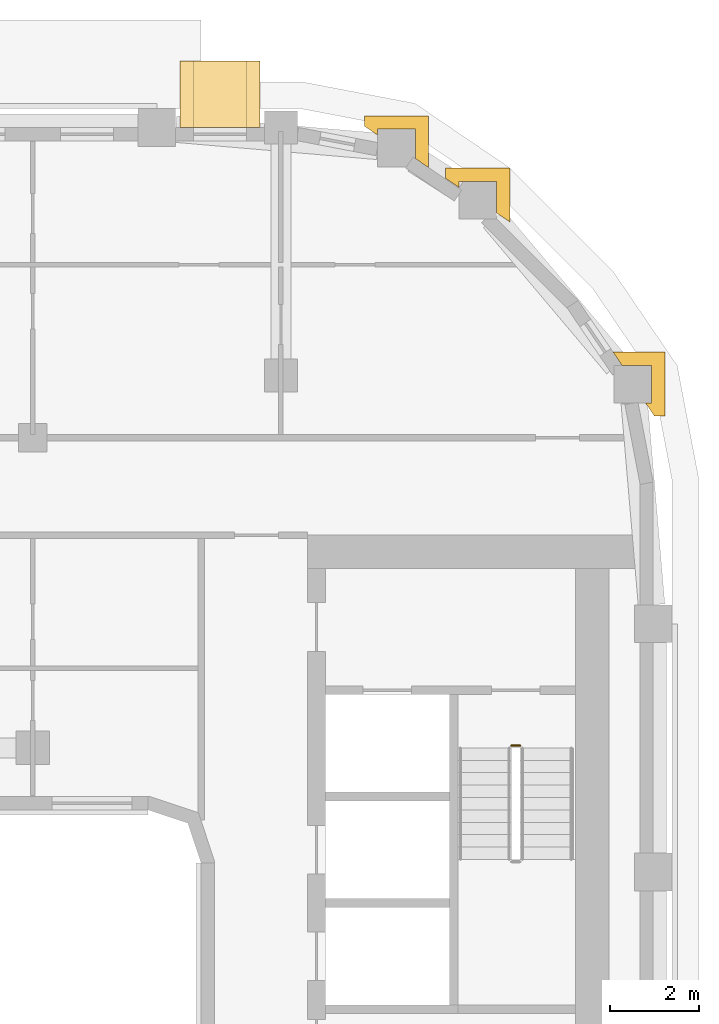
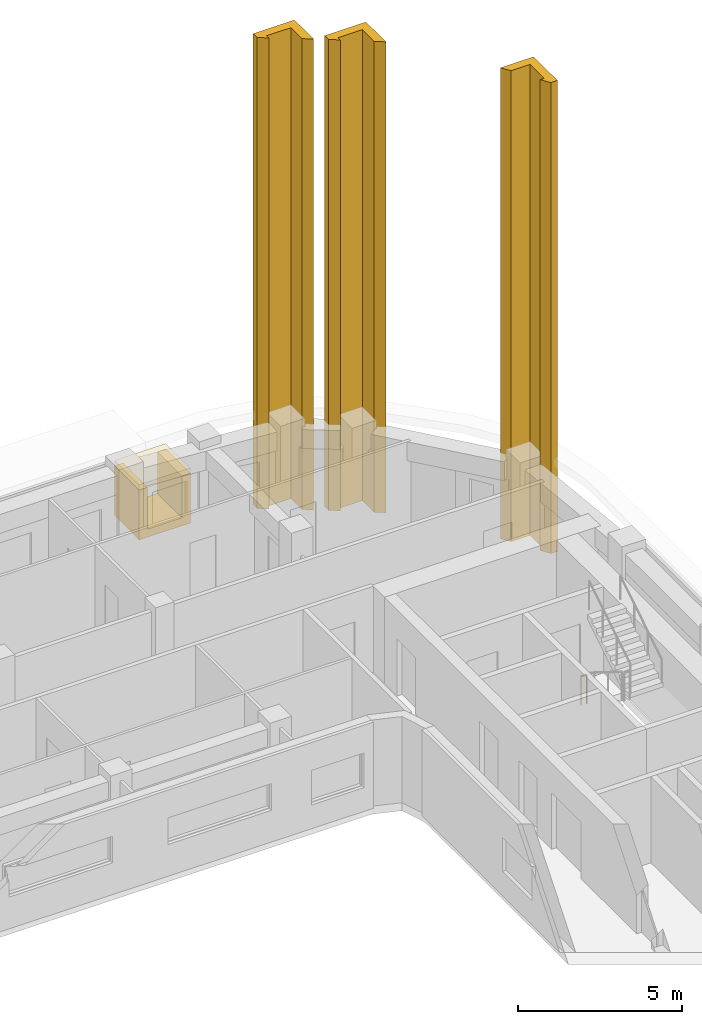
# One storey, part 21 of 21: 5 coverings, 1 railing.
"""IFC4 building model written with IfcOpenShell, lengths in metres."""

from ifc_helpers import new_model, si_unit, direction, frame, origin, origin_2d, place, context, subcontext, project, spatial, polyline, rectangle, circle, outline, extrude, material, layer, layer_set, type_object, element, save


model = new_model("IFC4")

# Units and contexts
model_context = context("Model", 3, precision=1e-05, world=origin(), true_north=direction((0.0, 1.0)))
body_context = subcontext(model_context, "Body", "Model", "MODEL_VIEW")
ifc_project = project(units=[si_unit("LENGTHUNIT", "METRE"), si_unit("AREAUNIT", "SQUARE_METRE"), si_unit("VOLUMEUNIT", "CUBIC_METRE"), si_unit("PLANEANGLEUNIT", "RADIAN"), si_unit("MASSUNIT", "GRAM", prefix="KILO")], contexts=[model_context])

# Site, building, storey
site_placement = place(None, origin())
site = spatial("IfcSite", under=ifc_project, at=site_placement, CompositionType="ELEMENT")
building_placement = place(site_placement, origin())
building = spatial("IfcBuilding", under=site, at=building_placement, Name="Kiln Ring Residences", CompositionType="ELEMENT")
storey_placement = place(building_placement, frame((0.0, 0.0, 213.39990234375)))
storey = spatial("IfcBuildingStorey", under=building, at=storey_placement, Name="L55", CompositionType="ELEMENT", Elevation=213.39990234375)

# Railing
ifc_material_1 = material(Name="Stainless steel", Category="steel")
railing_type = type_object("IfcRailingType", Name="CORE-STAIR-GUARD", PredefinedType="GUARDRAIL", material=ifc_material_1)
railing_placement = place(storey_placement, frame((22.0, 8.449951171875, 0.0)))
element("IfcRailing", 1, at=railing_placement, inside=storey, type_object=railing_type, Name="L55 E-STN stair guard 4", PredefinedType="GUARDRAIL", context=body_context, shape_type="SweptSolid", body=[
    extrude(circle(Radius=0.02392578125, at=origin_2d()), frame((0.0, 0.0, 1.076171875), z_axis=(1.0, 0.0, 0.0), x_axis=(0.0, 1.0, 0.0)), (0.0, 0.0, 1.0), 0.199951171875),
    extrude(circle(Radius=0.02099609375, at=origin_2d()), origin(), (0.0, 0.0, 1.0), 1.052001953125),
    extrude(circle(Radius=0.02099609375, at=origin_2d()), frame((0.199951171875, 0.0, 0.0)), (0.0, 0.0, 1.0), 1.052001953125),
])

# Coverings
ifc_material_2 = material(Name="Brick masonry, dark clay brick", Category="masonry")
ifc_layer_1 = layer(ifc_material_2, 0.300048828125)
ifc_layer_set_1 = layer_set([ifc_layer_1], Name="FRAME CHEEKS AND SILL 1500")
covering_type_1 = type_object("IfcCoveringType", Name="FRAME CHEEKS AND SILL 1500", PredefinedType="CLADDING", material=ifc_layer_set_1)
covering_1_placement = place(storey_placement, frame((16.324951171875, 23.14990234375, 0.300048828125), z_axis=(0.0, 0.0, 1.0), x_axis=(-1.0, 0.0, 0.0)))
element("IfcCovering", 2, at=covering_1_placement, inside=storey, type_object=covering_type_1, Name="FRAME L55", PredefinedType="CLADDING", context=body_context, shape_type="SweptSolid", body=[
    extrude(outline(polyline([(0.0, 0.0), (1.800048828125, 0.0), (1.800048828125, 1.85009765625), (1.5009765625, 1.85009765625), (1.5, 0.300048828125), (0.300048828125, 0.300048828125), (0.299072265625, 1.85009765625), (0.0, 1.85009765625), (0.0, 0.0)])), frame((0.0, 0.75, 0.0), z_axis=(0.0, -1.0, 0.0), x_axis=(1.0, 0.0, 0.0)), (0.0, 0.0, 1.0), 1.5),
])
ifc_material_3 = material(Name="Brick masonry, dark clay brick", Category="masonry")
ifc_layer_2 = layer(ifc_material_3, 0.199951171875)
ifc_layer_set_2 = layer_set([ifc_layer_2], Name="FRAME HEAD 1500")
covering_type_2 = type_object("IfcCoveringType", Name="FRAME HEAD 1500", PredefinedType="CLADDING", material=ifc_layer_set_2)
covering_2_placement = place(storey_placement, frame((15.425048828125, 23.14990234375, 2.14990234375), z_axis=(0.0, 0.0, 1.0), x_axis=(-1.0, 0.0, 0.0)))
element("IfcCovering", 3, at=covering_2_placement, inside=storey, type_object=covering_type_2, Name="FRAME HEAD L55", PredefinedType="CLADDING", context=body_context, shape_type="SweptSolid", body=[
    extrude(rectangle(XDim=1.800048828125, YDim=1.5, at=origin_2d()), origin(), (0.0, 0.0, 1.0), 0.199951171875),
])
ifc_material_4 = material(Name="Brick masonry, dark clay brick", Category="masonry")
ifc_layer_3 = layer(ifc_material_4, 0.300048828125)
ifc_layer_set_3 = layer_set([ifc_layer_3], Name="PIER CLADDING 300")
covering_type_3 = type_object("IfcCoveringType", Name="PIER CLADDING 300", PredefinedType="CLADDING", material=ifc_layer_set_3)
placement = place(storey_placement, origin())
element("IfcCovering", 4, at=placement, inside=storey, type_object=covering_type_3, Name="PIER CLADDING L55-L59", PredefinedType="CLADDING", context=body_context, shape_type="SweptSolid", body=[
    extrude(outline(polyline([(25.463134765625, 15.8837890625), (25.463134765625, 17.333740234375), (24.29345703125, 17.333740234375), (24.497314453125, 17.03369140625), (25.1630859375, 17.03369140625), (25.1630859375, 16.18359375), (25.02685546875, 16.18359375), (25.230712890625, 15.8837890625), (25.463134765625, 15.8837890625)])), origin(), (0.0, 0.0, 1.0), 17.5),
])
element("IfcCovering", 5, at=placement, inside=storey, type_object=covering_type_3, Name="PIER CLADDING L55-L59", PredefinedType="CLADDING", context=body_context, shape_type="SweptSolid", body=[
    extrude(outline(polyline([(21.965087890625, 21.48486328125), (20.51513671875, 21.48486328125), (20.51513671875, 21.25244140625), (20.815185546875, 21.048583984375), (20.815185546875, 21.184814453125), (21.665283203125, 21.184814453125), (21.665283203125, 20.470947265625), (21.965087890625, 20.26708984375), (21.965087890625, 21.48486328125)])), origin(), (0.0, 0.0, 1.0), 17.5),
])
element("IfcCovering", 6, at=placement, inside=storey, type_object=covering_type_3, Name="PIER CLADDING L55-L59", PredefinedType="CLADDING", context=body_context, shape_type="SweptSolid", body=[
    extrude(outline(polyline([(20.1337890625, 22.6630859375), (18.68359375, 22.6630859375), (18.68359375, 22.430908203125), (18.983642578125, 22.226806640625), (18.983642578125, 22.363037109375), (19.833740234375, 22.363037109375), (19.833740234375, 21.697509765625), (20.1337890625, 21.493408203125), (20.1337890625, 22.6630859375)])), origin(), (0.0, 0.0, 1.0), 17.5),
])

save(model, "model.ifc")
